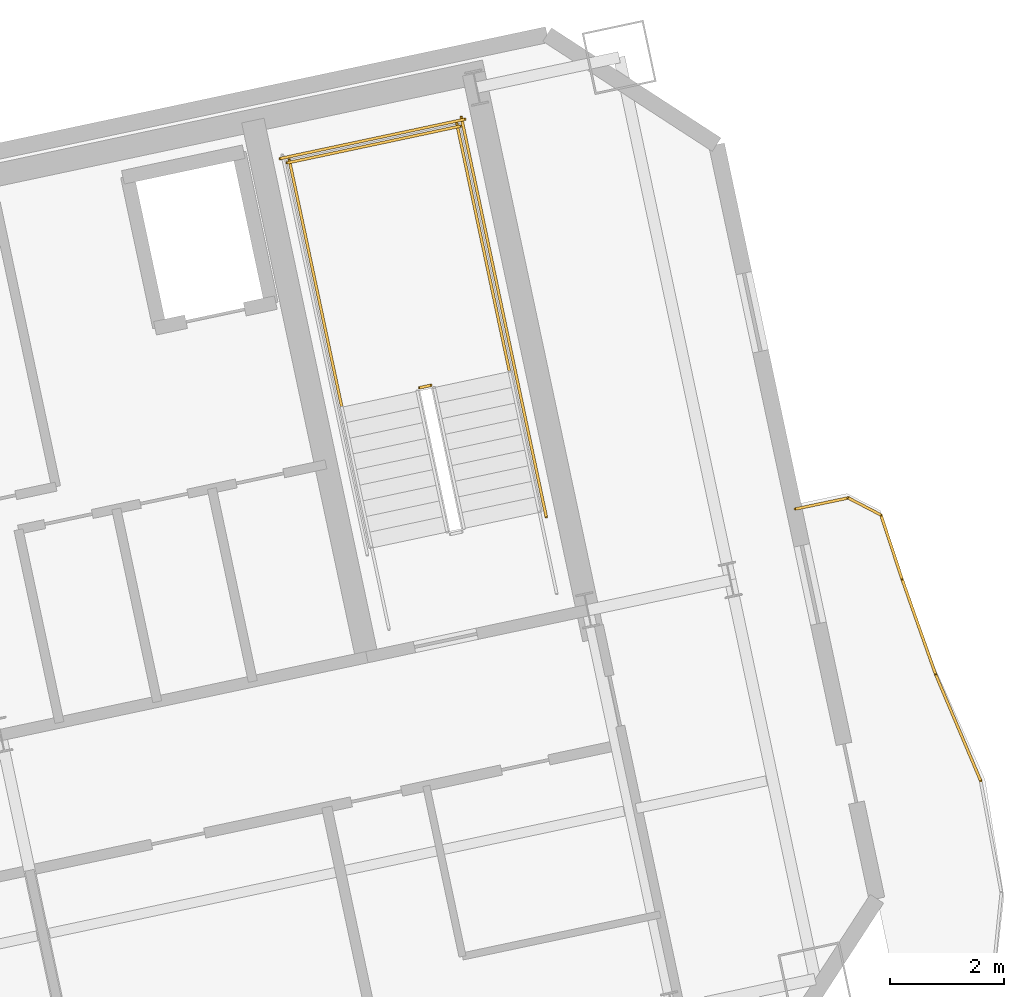
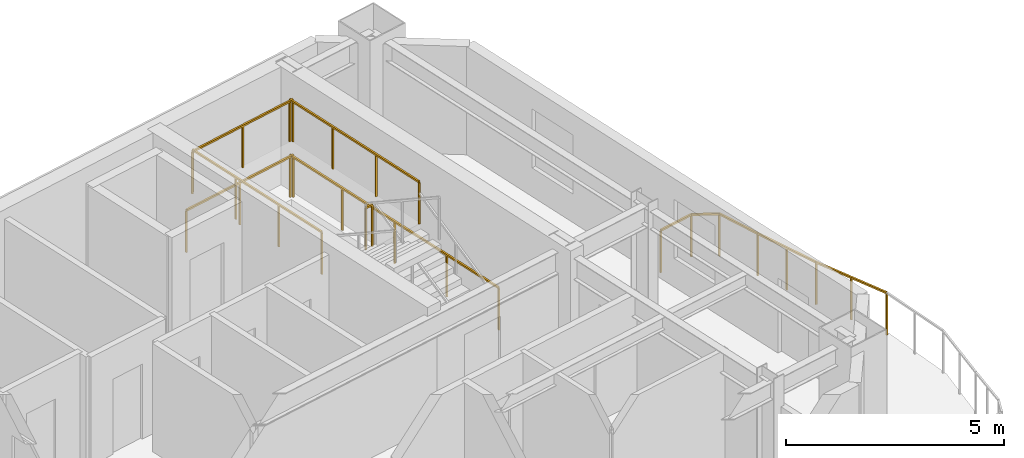
# One storey, part 13 of 13: 11 railings.
"""IFC4 building model written with IfcOpenShell, lengths in metres."""

import ifcopenshell
import ifcopenshell.guid

model = None  # the IFC model being written
_history = None  # IfcOwnerHistory: only IFC2X3 demands one
_inside = {}  # id of a spatial element -> (the spatial element, [elements in it])
_under = {}  # id of a project, library or spatial element -> (it, [spatial elements below it])
_declared = {}  # id of a project -> (the project, [libraries it declares])
_typed = {}  # id of a type object -> (the type object, [elements of that type])
_made_of = {}  # id of a material, layer set ... -> (it, [elements and type objects made of it])


def new_model(schema):
    """Start an empty IFC model of exactly this schema.

    Asked for "IFC4X3", IfcOpenShell would pick the latest addendum, in which some entities
    have other attributes; the version numbers below select the first issue.
    IFC2X3 requires an IfcOwnerHistory on every rooted entity: one is made here for all.
    """
    global model, _history
    if schema == "IFC4X3":
        model = ifcopenshell.file(schema_version=(4, 3, 0, 0))
    else:
        model = ifcopenshell.file(schema=schema)
    _inside.clear()
    _under.clear()
    _declared.clear()
    _typed.clear()
    _made_of.clear()
    _history = None
    if model.schema == "IFC2X3":
        org = make("IfcOrganization", Name="unknown")
        user = make(
            "IfcPersonAndOrganization",
            ThePerson=make("IfcPerson", FamilyName="unknown"),
            TheOrganization=org,
        )
        app = make(
            "IfcApplication",
            ApplicationDeveloper=org,
            Version="unknown",
            ApplicationFullName="unknown",
            ApplicationIdentifier="unknown",
        )
        _history = make(
            "IfcOwnerHistory",
            OwningUser=user,
            OwningApplication=app,
            ChangeAction="ADDED",
            CreationDate=0,
        )
    return model


def make(cls, **values):
    """One entity of the class cls with the attributes given. An attribute that is None is left unset."""
    return model.create_entity(
        cls, **{name: value for name, value in values.items() if value is not None}
    )


def rooted(cls, **values):
    """An entity with a GlobalId (a new one), such as an element, a storey or a relation."""
    return make(cls, GlobalId=ifcopenshell.guid.new(), OwnerHistory=_history, **values)


def si_unit(unit_type, name, prefix=None):
    """IfcSIUnit, for example si_unit("LENGTHUNIT", "METRE", prefix="MILLI")."""
    return make("IfcSIUnit", UnitType=unit_type, Prefix=prefix, Name=name)


def assignment(units):
    """IfcUnitAssignment: the units of a project."""
    return None if units is None else make("IfcUnitAssignment", Units=units)


def point(xyz):
    """IfcCartesianPoint."""
    return None if xyz is None else make("IfcCartesianPoint", Coordinates=xyz)


def direction(xyz):
    """IfcDirection."""
    return None if xyz is None else make("IfcDirection", DirectionRatios=xyz)


def frame(location, z_axis=None, x_axis=None):
    """IfcAxis2Placement3D, a coordinate frame: its origin and axes. An axis left out is left unset."""
    return make(
        "IfcAxis2Placement3D",
        Location=point(location),
        Axis=direction(z_axis),
        RefDirection=direction(x_axis),
    )


def frame_2d(location, x_axis=None):
    """IfcAxis2Placement2D, a coordinate frame in the plane: its origin and x axis."""
    return make(
        "IfcAxis2Placement2D", Location=point(location), RefDirection=direction(x_axis)
    )


def origin():
    """The frame at (0, 0, 0) with its axes left unset."""
    return frame((0.0, 0.0, 0.0))


def origin_2d():
    """The frame at (0, 0) in the plane with its x axis left unset."""
    return frame_2d((0.0, 0.0))


def place(relative_to, where):
    """IfcLocalPlacement: puts the frame where relative to a parent placement (None: the world)."""
    return make(
        "IfcLocalPlacement", PlacementRelTo=relative_to, RelativePlacement=where
    )


def context(
    kind, dimensions, precision=None, world=None, true_north=None, identifier=None
):
    """IfcGeometricRepresentationContext, for example the 3D "Model" context."""
    return make(
        "IfcGeometricRepresentationContext",
        ContextIdentifier=identifier,
        ContextType=kind,
        CoordinateSpaceDimension=dimensions,
        Precision=precision,
        WorldCoordinateSystem=world,
        TrueNorth=true_north,
    )


def subcontext(parent, identifier, kind, view, scale=None):
    """IfcGeometricRepresentationSubContext, for example "Body" below "Model"."""
    return make(
        "IfcGeometricRepresentationSubContext",
        ContextIdentifier=identifier,
        ContextType=kind,
        ParentContext=parent,
        TargetScale=scale,
        TargetView=view,
    )


def project(units=None, contexts=None):
    """IfcProject with its units and contexts."""
    return rooted(
        "IfcProject",
        Name="project",
        RepresentationContexts=contexts,
        UnitsInContext=assignment(units),
    )


def spatial(cls, under=None, at=None, **own):
    """A site, building, storey or space (cls), placed at a placement, below another one or the project."""
    s = rooted(cls, ObjectPlacement=at, **own)
    if under is not None:
        _under.setdefault(under.id(), (under, []))[1].append(s)
    return s


def profile(cls, at=None, kind="AREA", **sizes):
    """A parametric profile (cls). Its sizes go by their IFC names, for example OverallWidth=200.0."""
    return make(cls, ProfileType=kind, Position=at, **sizes)


def rectangle(**sizes):
    """IfcRectangleProfileDef."""
    return profile("IfcRectangleProfileDef", **sizes)


def extrude(swept, where, along, depth):
    """IfcExtrudedAreaSolid: the profile swept, set in the frame where, extruded along a direction by depth."""
    return make(
        "IfcExtrudedAreaSolid",
        SweptArea=swept,
        Position=where,
        ExtrudedDirection=direction(along),
        Depth=depth,
    )


def shape(context_of_items, identifier, shape_type, items):
    """IfcShapeRepresentation: the items that make up one representation, for example the "Body"."""
    return make(
        "IfcShapeRepresentation",
        ContextOfItems=context_of_items,
        RepresentationIdentifier=identifier,
        RepresentationType=shape_type,
        Items=items,
    )


def material(Name=None, Category=None):
    """IfcMaterial."""
    return make("IfcMaterial", Name=Name, Category=Category)


def made_of(thing, what):
    """Note that an element or type object is made of a material, layer set ...; save() writes the relation."""
    if what is not None:
        _made_of.setdefault(what.id(), (what, []))[1].append(thing)
    return thing


def type_object(cls, material=None, **own):
    """A type object (cls), such as IfcWallType, which elements share."""
    return made_of(rooted(cls, **own), material)


def element(
    cls,
    number,
    at=None,
    inside=None,
    cuts=None,
    type_object=None,
    material=None,
    context=None,
    identifier="Body",
    shape_type=None,
    held_by="IfcProductDefinitionShape",
    body=None,
    shapes=None,
    **own,
):
    """One element of the class cls, such as IfcWall. Its Tag is "e" and its number.

    at: its placement. inside: the storey or other place that contains it. cuts: it is an
    opening in that element (IfcRelVoidsElement). A single representation is given by context,
    identifier, shape_type and body (its items); several are given by shapes. held_by: the class
    of the entity that holds the representations. save() writes the other relations.
    """
    e = rooted(cls, Tag="e%d" % number, ObjectPlacement=at, **own)
    if body is not None:
        shapes = [shape(context, identifier, shape_type, body)]
    if shapes is not None:
        e.Representation = make(held_by, Representations=shapes)
    if inside is not None:
        _inside.setdefault(inside.id(), (inside, []))[1].append(e)
    if cuts is not None:
        rooted(
            "IfcRelVoidsElement", RelatingBuildingElement=cuts, RelatedOpeningElement=e
        )
    if type_object is not None:
        _typed.setdefault(type_object.id(), (type_object, []))[1].append(e)
    return made_of(e, material)


def aggregate(whole, parts):
    """IfcRelAggregates: a whole, such as a stair, and the parts it consists of."""
    return rooted("IfcRelAggregates", RelatingObject=whole, RelatedObjects=parts)


def save(model, path):
    """Write the relations noted so far, then the file.

    IfcRelAggregates (storeys below a building ...), IfcRelContainedInSpatialStructure (elements
    in a storey), IfcRelDefinesByType, IfcRelAssociatesMaterial and IfcRelDeclares: one each for
    every whole, place, type object, material and project.
    """
    for whole, parts in _under.values():
        aggregate(whole, parts)
    for where, things in _inside.values():
        rooted(
            "IfcRelContainedInSpatialStructure",
            RelatedElements=things,
            RelatingStructure=where,
        )
    for kind, things in _typed.values():
        rooted("IfcRelDefinesByType", RelatedObjects=things, RelatingType=kind)
    for what, things in _made_of.values():
        rooted("IfcRelAssociatesMaterial", RelatedObjects=things, RelatingMaterial=what)
    for by, libraries in _declared.values():
        rooted("IfcRelDeclares", RelatingContext=by, RelatedDefinitions=libraries)
    model.write(path)


model = new_model("IFC4")

# Units and contexts
model_context = context("Model", 3, precision=1e-05, world=origin(), true_north=direction((0.0, 1.0)))
body_context = subcontext(model_context, "Body", "Model", "MODEL_VIEW")
ifc_project = project(units=[si_unit("LENGTHUNIT", "METRE"), si_unit("AREAUNIT", "SQUARE_METRE"), si_unit("VOLUMEUNIT", "CUBIC_METRE"), si_unit("PLANEANGLEUNIT", "RADIAN"), si_unit("MASSUNIT", "GRAM", prefix="KILO")], contexts=[model_context])

# Site, building, storey
site_placement = place(None, origin())
site = spatial("IfcSite", under=ifc_project, at=site_placement, CompositionType="ELEMENT")
building_placement = place(site_placement, origin())
building = spatial("IfcBuilding", under=site, at=building_placement, Name="Haevon Station Towers", CompositionType="ELEMENT")
storey_placement = place(building_placement, frame((0.0, 0.0, 222.0)))
storey = spatial("IfcBuildingStorey", under=building, at=storey_placement, Name="L61", CompositionType="ELEMENT", Elevation=222.0)

# Railings
ifc_material = material(Name="Steel S355", Category="steel")
railing_type_1 = type_object("IfcRailingType", Name="GRD-EXT1200", PredefinedType="GUARDRAIL", material=ifc_material)
railing_1_placement = place(storey_placement, frame((126.16796875, 38.82763671875, 0.0)))
element("IfcRailing", 1, at=railing_1_placement, inside=storey, type_object=railing_type_1, Name="L61 Perimeter Guardrail 6", PredefinedType="GUARDRAIL", context=body_context, shape_type="SweptSolid", body=[
    extrude(rectangle(XDim=0.048095703125, YDim=0.048095703125, at=origin_2d()), frame((0.0, 0.0, 1.17578125), z_axis=(-0.389785420684, 0.920905709518, 0.0), x_axis=(-0.920905709518, -0.389785420684, 0.0)), (0.0, 0.0, 1.0), 2.026123046875),
    extrude(rectangle(XDim=0.0419921875, YDim=0.0419921875, at=origin_2d()), origin(), (0.0, 0.0, 1.0), 1.15185546875),
    extrude(rectangle(XDim=0.0419921875, YDim=0.0419921875, at=origin_2d()), frame((-0.39501953125, 0.93310546875, 0.0)), (0.0, 0.0, 1.0), 1.15185546875),
    extrude(rectangle(XDim=0.0419921875, YDim=0.0419921875, at=origin_2d()), frame((-0.789794921875, 1.865966796875, 0.0)), (0.0, 0.0, 1.0), 1.15185546875),
])
railing_2_placement = place(storey_placement, frame((125.378173828125, 40.693603515625, 0.0)))
element("IfcRailing", 2, at=railing_2_placement, inside=storey, type_object=railing_type_1, Name="L61 Perimeter Guardrail 7", PredefinedType="GUARDRAIL", context=body_context, shape_type="SweptSolid", body=[
    extrude(rectangle(XDim=0.048095703125, YDim=0.048095703125, at=origin_2d()), frame((0.0, 0.0, 1.17578125), z_axis=(-0.332168477045, 0.943220071276, 0.0), x_axis=(-0.943220071276, -0.332168477045, 0.0)), (0.0, 0.0, 1.0), 1.763916015625),
    extrude(rectangle(XDim=0.0419921875, YDim=0.0419921875, at=origin_2d()), origin(), (0.0, 0.0, 1.0), 1.15185546875),
    extrude(rectangle(XDim=0.0419921875, YDim=0.0419921875, at=origin_2d()), frame((-0.29296875, 0.83203125, 0.0)), (0.0, 0.0, 1.0), 1.15185546875),
    extrude(rectangle(XDim=0.0419921875, YDim=0.0419921875, at=origin_2d()), frame((-0.5859375, 1.663818359375, 0.0)), (0.0, 0.0, 1.0), 1.15185546875),
])
railing_3_placement = place(storey_placement, frame((124.792236328125, 42.357421875, 0.0)))
element("IfcRailing", 3, at=railing_3_placement, inside=storey, type_object=railing_type_1, Name="L61 Perimeter Guardrail 8", PredefinedType="GUARDRAIL", context=body_context, shape_type="SweptSolid", body=[
    extrude(rectangle(XDim=0.048095703125, YDim=0.048095703125, at=origin_2d()), frame((0.0, 0.0, 1.17578125), z_axis=(-0.312492822926, 0.949920120652, 0.0), x_axis=(-0.949920120652, -0.312492822926, 0.0)), (0.0, 0.0, 1.0), 1.177490234375),
    extrude(rectangle(XDim=0.0419921875, YDim=0.0419921875, at=origin_2d()), origin(), (0.0, 0.0, 1.0), 1.15185546875),
    extrude(rectangle(XDim=0.0419921875, YDim=0.0419921875, at=origin_2d()), frame((-0.367919921875, 1.118408203125, 0.0)), (0.0, 0.0, 1.0), 1.15185546875),
])
railing_4_placement = place(storey_placement, frame((124.42431640625, 43.475830078125, 0.0)))
element("IfcRailing", 4, at=railing_4_placement, inside=storey, type_object=railing_type_1, Name="L61 Perimeter Guardrail 9", PredefinedType="GUARDRAIL", context=body_context, shape_type="SweptSolid", body=[
    extrude(rectangle(XDim=0.048095703125, YDim=0.048095703125, at=origin_2d()), frame((0.0, 0.0, 1.17578125), z_axis=(-0.886739807276, 0.462268876513, 0.0), x_axis=(-0.462268876513, -0.886739807276, 0.0)), (0.0, 0.0, 1.0), 0.64599609375),
    extrude(rectangle(XDim=0.0419921875, YDim=0.0419921875, at=origin_2d()), origin(), (0.0, 0.0, 1.0), 1.15185546875),
    extrude(rectangle(XDim=0.0419921875, YDim=0.0419921875, at=origin_2d()), frame((-0.57275390625, 0.298583984375, 0.0)), (0.0, 0.0, 1.0), 1.15185546875),
])
railing_5_placement = place(storey_placement, frame((123.8515625, 43.7744140625, 0.0)))
element("IfcRailing", 5, at=railing_5_placement, inside=storey, type_object=railing_type_1, Name="L61 Perimeter Guardrail 10", PredefinedType="GUARDRAIL", context=body_context, shape_type="SweptSolid", body=[
    extrude(rectangle(XDim=0.048095703125, YDim=0.048095703125, at=origin_2d()), frame((0.0, 0.0, 1.17578125), z_axis=(-0.978571736022, -0.205906186062, 0.0), x_axis=(0.205906186062, -0.978571736022, 0.0)), (0.0, 0.0, 1.0), 0.94384765625),
    extrude(rectangle(XDim=0.0419921875, YDim=0.0419921875, at=origin_2d()), origin(), (0.0, 0.0, 1.0), 1.15185546875),
    extrude(rectangle(XDim=0.0419921875, YDim=0.0419921875, at=origin_2d()), frame((-0.923583984375, -0.1943359375, 0.0)), (0.0, 0.0, 1.0), 1.15185546875),
])
railing_type_2 = type_object("IfcRailingType", Name="GRD-STR1200", PredefinedType="GUARDRAIL", material=ifc_material)
railing_6_placement = place(storey_placement, frame((116.54541015625, 45.7431640625, 1.64990234375)))
element("IfcRailing", 6, at=railing_6_placement, inside=storey, type_object=railing_type_2, Name="L61 ST4 Stair Guard 2", PredefinedType="GUARDRAIL", context=body_context, shape_type="SweptSolid", body=[
    extrude(rectangle(XDim=0.048095703125, YDim=0.048095703125, at=origin_2d()), frame((0.0, 0.0, 1.17578125), z_axis=(-0.97826412705, -0.207362720198, 0.0), x_axis=(0.207362720198, -0.97826412705, 0.0)), (0.0, 0.0, 1.0), 0.2001953125),
    extrude(rectangle(XDim=0.0419921875, YDim=0.0419921875, at=origin_2d()), origin(), (0.0, 0.0, 1.0), 1.15185546875),
    extrude(rectangle(XDim=0.0419921875, YDim=0.0419921875, at=origin_2d()), frame((-0.19580078125, -0.04150390625, 0.0)), (0.0, 0.0, 1.0), 1.15185546875),
])
railing_7_placement = place(storey_placement, frame((117.925048828125, 45.9853515625, 1.64990234375)))
element("IfcRailing", 7, at=railing_7_placement, inside=storey, type_object=railing_type_2, Name="L61 ST4 Stair Guard 3", PredefinedType="GUARDRAIL", context=body_context, shape_type="SweptSolid", body=[
    extrude(rectangle(XDim=0.048095703125, YDim=0.048095703125, at=origin_2d()), frame((0.0, 0.0, 1.17578125), z_axis=(-0.207876551949, 0.978155069071, 0.0), x_axis=(-0.978155069071, -0.207876551949, 0.0)), (0.0, 0.0, 1.0), 4.429931640625),
    extrude(rectangle(XDim=0.0419921875, YDim=0.0419921875, at=origin_2d()), origin(), (0.0, 0.0, 1.0), 1.15185546875),
    extrude(rectangle(XDim=0.0419921875, YDim=0.0419921875, at=origin_2d()), frame((-0.306884765625, 1.4443359375, 0.0)), (0.0, 0.0, 1.0), 1.15185546875),
    extrude(rectangle(XDim=0.0419921875, YDim=0.0419921875, at=origin_2d()), frame((-0.614013671875, 2.888916015625, 0.0)), (0.0, 0.0, 1.0), 1.15185546875),
    extrude(rectangle(XDim=0.0419921875, YDim=0.0419921875, at=origin_2d()), frame((-0.9208984375, 4.333251953125, 0.0)), (0.0, 0.0, 1.0), 1.15185546875),
])
railing_8_placement = place(storey_placement, frame((114.99072265625, 45.361572265625, 1.64990234375)))
element("IfcRailing", 8, at=railing_8_placement, inside=storey, type_object=railing_type_2, Name="L61 ST4 Stair Guard 4", PredefinedType="GUARDRAIL", context=body_context, shape_type="SweptSolid", body=[
    extrude(rectangle(XDim=0.048095703125, YDim=0.048095703125, at=origin_2d()), frame((0.0, 0.0, 1.17578125), z_axis=(-0.207929280007, 0.978143861871, 0.0), x_axis=(-0.978143861871, -0.207929280007, 0.0)), (0.0, 0.0, 1.0), 4.43017578125),
    extrude(rectangle(XDim=0.0419921875, YDim=0.0419921875, at=origin_2d()), origin(), (0.0, 0.0, 1.0), 1.15185546875),
    extrude(rectangle(XDim=0.0419921875, YDim=0.0419921875, at=origin_2d()), frame((-0.30712890625, 1.4443359375, 0.0)), (0.0, 0.0, 1.0), 1.15185546875),
    extrude(rectangle(XDim=0.0419921875, YDim=0.0419921875, at=origin_2d()), frame((-0.614013671875, 2.888916015625, 0.0)), (0.0, 0.0, 1.0), 1.15185546875),
    extrude(rectangle(XDim=0.0419921875, YDim=0.0419921875, at=origin_2d()), frame((-0.921142578125, 4.333251953125, 0.0)), (0.0, 0.0, 1.0), 1.15185546875),
])
railing_9_placement = place(storey_placement, frame((117.0634765625, 50.280029296875, 1.64990234375)))
element("IfcRailing", 9, at=railing_9_placement, inside=storey, type_object=railing_type_2, Name="L61 ST4 Stair Guard 5", PredefinedType="GUARDRAIL", context=body_context, shape_type="SweptSolid", body=[
    extrude(rectangle(XDim=0.048095703125, YDim=0.048095703125, at=origin_2d()), frame((0.0, 0.0, 1.17578125), z_axis=(-0.978146839882, -0.207915270313, 0.0), x_axis=(0.207915270313, -0.978146839882, 0.0)), (0.0, 0.0, 1.0), 3.099853515625),
    extrude(rectangle(XDim=0.0419921875, YDim=0.0419921875, at=origin_2d()), origin(), (0.0, 0.0, 1.0), 1.15185546875),
    extrude(rectangle(XDim=0.0419921875, YDim=0.0419921875, at=origin_2d()), frame((-1.51611328125, -0.322265625, 0.0)), (0.0, 0.0, 1.0), 1.15185546875),
    extrude(rectangle(XDim=0.0419921875, YDim=0.0419921875, at=origin_2d()), frame((-3.0322265625, -0.64453125, 0.0)), (0.0, 0.0, 1.0), 1.15185546875),
])
railing_10_placement = place(storey_placement, frame((118.567626953125, 43.443359375, 0.0)))
element("IfcRailing", 10, at=railing_10_placement, inside=storey, type_object=railing_type_2, Name="L61 ST4 Stair Guard 10", PredefinedType="GUARDRAIL", context=body_context, shape_type="SweptSolid", body=[
    extrude(rectangle(XDim=0.048095703125, YDim=0.048095703125, at=origin_2d()), frame((0.0, 0.0, 1.17578125), z_axis=(-0.207908168386, 0.978148349443, 0.0), x_axis=(-0.978148349443, -0.207908168386, 0.0)), (0.0, 0.0, 1.0), 7.150146484375),
    extrude(rectangle(XDim=0.0419921875, YDim=0.0419921875, at=origin_2d()), origin(), (0.0, 0.0, 1.0), 1.15185546875),
    extrude(rectangle(XDim=0.0419921875, YDim=0.0419921875, at=origin_2d()), frame((-0.37158203125, 1.74853515625, 0.0)), (0.0, 0.0, 1.0), 1.15185546875),
    extrude(rectangle(XDim=0.0419921875, YDim=0.0419921875, at=origin_2d()), frame((-0.7431640625, 3.4970703125, 0.0)), (0.0, 0.0, 1.0), 1.15185546875),
    extrude(rectangle(XDim=0.0419921875, YDim=0.0419921875, at=origin_2d()), frame((-1.114990234375, 5.245361328125, 0.0)), (0.0, 0.0, 1.0), 1.15185546875),
    extrude(rectangle(XDim=0.0419921875, YDim=0.0419921875, at=origin_2d()), frame((-1.486572265625, 6.993896484375, 0.0)), (0.0, 0.0, 1.0), 1.15185546875),
])
railing_11_placement = place(storey_placement, frame((117.140380859375, 50.398681640625, 0.0)))
element("IfcRailing", 11, at=railing_11_placement, inside=storey, type_object=railing_type_2, Name="L61 ST4 Stair Guard 12", PredefinedType="GUARDRAIL", context=body_context, shape_type="SweptSolid", body=[
    extrude(rectangle(XDim=0.048095703125, YDim=0.048095703125, at=origin_2d()), frame((0.0, 0.0, 1.17578125), z_axis=(-0.978135717418, -0.207967589567, 0.0), x_axis=(0.207967589567, -0.978135717418, 0.0)), (0.0, 0.0, 1.0), 3.300048828125),
    extrude(rectangle(XDim=0.0419921875, YDim=0.0419921875, at=origin_2d()), origin(), (0.0, 0.0, 1.0), 1.15185546875),
    extrude(rectangle(XDim=0.0419921875, YDim=0.0419921875, at=origin_2d()), frame((-1.61376953125, -0.34326171875, 0.0)), (0.0, 0.0, 1.0), 1.15185546875),
    extrude(rectangle(XDim=0.0419921875, YDim=0.0419921875, at=origin_2d()), frame((-3.227783203125, -0.686279296875, 0.0)), (0.0, 0.0, 1.0), 1.15185546875),
])

save(model, "model.ifc")
